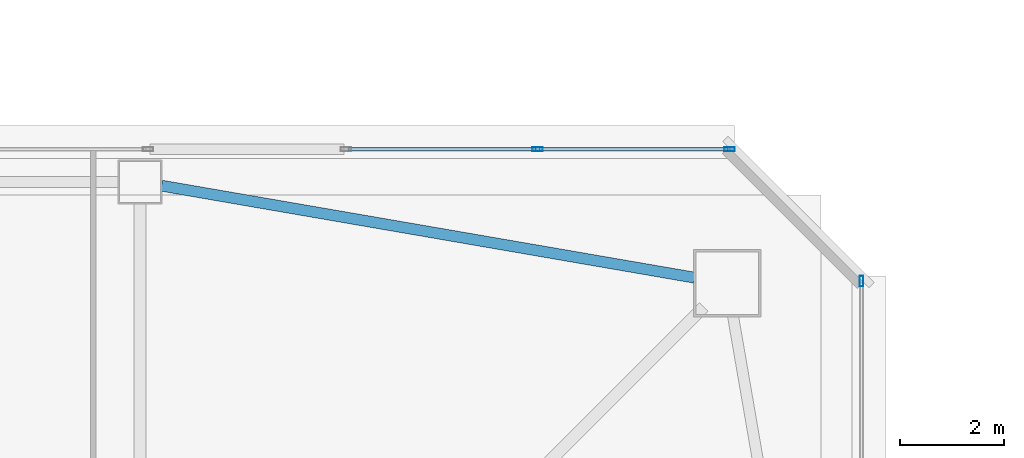
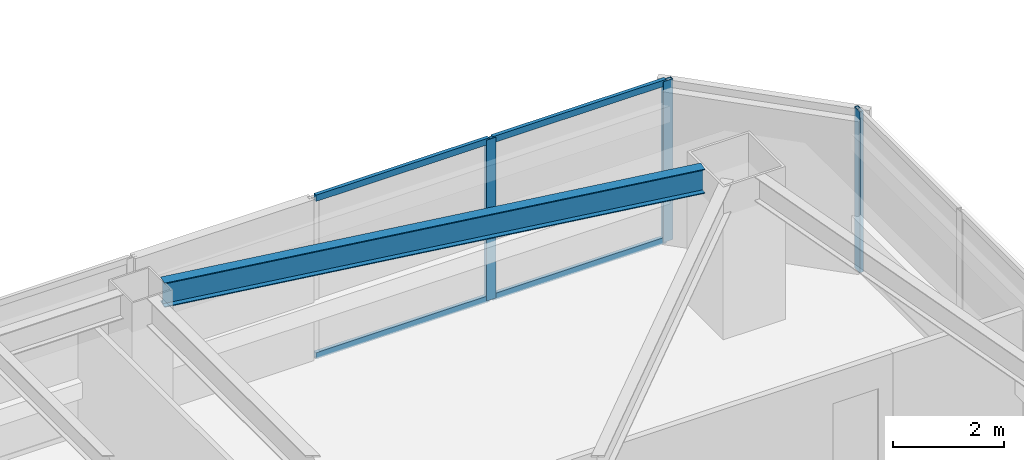
# One storey, part 15 of 46: 7 members, 1 beam, 2 elements without a shape of their own.
"""IFC4 building model written with IfcOpenShell, lengths in metres."""

from ifc_helpers import new_model, si_unit, direction, frame, origin, origin_2d, place, context, subcontext, project, spatial, hollow_rectangle, i_section, extrude, material, material_profile, profile_set, type_object, element, aggregate, save


model = new_model("IFC4")

# Units and contexts
model_context = context("Model", 3, precision=1e-05, world=origin(), true_north=direction((0.0, 1.0)))
body_context = subcontext(model_context, "Body", "Model", "MODEL_VIEW")
ifc_project = project(units=[si_unit("LENGTHUNIT", "METRE"), si_unit("AREAUNIT", "SQUARE_METRE"), si_unit("VOLUMEUNIT", "CUBIC_METRE"), si_unit("PLANEANGLEUNIT", "RADIAN"), si_unit("MASSUNIT", "GRAM", prefix="KILO")], contexts=[model_context])

# Site, building, storey
site_placement = place(None, origin())
site = spatial("IfcSite", under=ifc_project, at=site_placement, CompositionType="ELEMENT")
building_placement = place(site_placement, origin())
building = spatial("IfcBuilding", under=site, at=building_placement, Name="Tashvorn Skyway Center", CompositionType="ELEMENT")
storey_placement = place(building_placement, frame((0.0, 0.0, 132.14990234375)))
storey = spatial("IfcBuildingStorey", under=building, at=storey_placement, Name="L35", CompositionType="ELEMENT", Elevation=132.14990234375)

# Beam
ifc_material_1 = material(Name="Steel ASTM A992 Grade 50", Category="steel")
ifc_material_profile_1 = material_profile(ifc_material_1, i_section(OverallWidth=0.2109375, OverallDepth=0.5390625, WebThickness=0.01171875, FlangeThickness=0.018798828125, at=origin_2d()), Name="W21X73")
ifc_profile_set_1 = profile_set([ifc_material_profile_1], Name="Steel ASTM A992 Grade 50")
beam_type = type_object("IfcBeamType", Name="BM-SPANDREL-W21X73", PredefinedType="SPANDREL", material=ifc_profile_set_1)
beam_placement = place(storey_placement, frame((58.064453125, 48.8095703125, 3.1005859375), z_axis=(-0.985432458462, 0.170067250846, 0.0), x_axis=(-0.170067250846, -0.985432458462, 0.0)))
element("IfcBeam", 1, at=beam_placement, inside=storey, type_object=beam_type, Name="Tower 1 L35 Spandrel Beam 07", PredefinedType="SPANDREL", context=body_context, shape_type="SweptSolid", body=[
    extrude(i_section(OverallWidth=0.2109375, OverallDepth=0.5390625, WebThickness=0.01171875, FlangeThickness=0.018798828125, at=origin_2d()), origin(), (0.0, 0.0, 1.0), 10.402099609375),
])

# Curtain wall, members
ifc_material_2 = material(Name="Thermally broken bronze-anodized aluminium 6063-T6", Category="aluminium")
curtain_wall_type = type_object("IfcCurtainWallType", Name="CW-CW-Z3", PredefinedType="NOTDEFINED", material=ifc_material_2)
curtain_wall_1_placement = place(storey_placement, origin())
curtain_wall_1 = element("IfcCurtainWall", 2, at=curtain_wall_1_placement, inside=storey, type_object=curtain_wall_type, Name="Tower 1 L35 North Unitised Curtain Wall Glazing Group 3", PredefinedType="NOTDEFINED")
ifc_material_profile_2 = material_profile(ifc_material_2, hollow_rectangle(XDim=0.074951171875, YDim=0.199951171875, WallThickness=0.00439453125, at=origin_2d()), Name="ALU-MULL-75x200")
ifc_profile_set_2 = profile_set([ifc_material_profile_2], Name="Thermally broken bronze-anodized aluminium 6063-T6")
member_type_1 = type_object("IfcMemberType", Name="CWM-CW-Z3", PredefinedType="MULLION", material=ifc_profile_set_2)
member_1_placement = place(storey_placement, frame((55.051025390625, 51.280029296875, 0.0), z_axis=(0.0, 0.0, 1.0), x_axis=(0.0, 1.0, 0.0)))
member_1 = element("IfcMember", 3, at=member_1_placement, type_object=member_type_1, Name="CW-Z3 mullion 2", PredefinedType="MULLION", context=body_context, shape_type="SweptSolid", body=[
    extrude(hollow_rectangle(XDim=0.074951171875, YDim=0.199951171875, WallThickness=0.00439453125, at=origin_2d()), origin(), (0.0, 0.0, 1.0), 3.550048828125),
])
member_2_placement = place(storey_placement, frame((58.742431640625, 51.280029296875, 0.0), z_axis=(0.0, 0.0, 1.0), x_axis=(0.0, 1.0, 0.0)))
member_2 = element("IfcMember", 4, at=member_2_placement, type_object=member_type_1, Name="CW-Z3 mullion 3", PredefinedType="MULLION", context=body_context, shape_type="SweptSolid", body=[
    extrude(hollow_rectangle(XDim=0.074951171875, YDim=0.199951171875, WallThickness=0.00439453125, at=origin_2d()), origin(), (0.0, 0.0, 1.0), 3.550048828125),
])

# Curtain wall, member
curtain_wall_2_placement = place(storey_placement, origin())
curtain_wall_2 = element("IfcCurtainWall", 5, at=curtain_wall_2_placement, inside=storey, type_object=curtain_wall_type, Name="Tower 1 L35 East Unitised Curtain Wall Glazing Group 1", PredefinedType="NOTDEFINED")
member_3_placement = place(storey_placement, frame((61.280029296875, 48.742431640625, 0.0), z_axis=(0.0, 0.0, 1.0), x_axis=(1.0, 0.0, 0.0)))
member_3 = element("IfcMember", 6, at=member_3_placement, type_object=member_type_1, Name="CW-Z3 mullion 1", PredefinedType="MULLION", context=body_context, shape_type="SweptSolid", body=[
    extrude(hollow_rectangle(XDim=0.074951171875, YDim=0.199951171875, WallThickness=0.00439453125, at=origin_2d()), origin(), (0.0, 0.0, 1.0), 3.550048828125),
])
aggregate(curtain_wall_2, [member_3])

# Member
ifc_material_profile_3 = material_profile(ifc_material_2, hollow_rectangle(XDim=0.074951171875, YDim=0.139892578125, WallThickness=0.004150390625, at=origin_2d()), Name="ALU-TRAN-75x140")
ifc_profile_set_3 = profile_set([ifc_material_profile_3], Name="Thermally broken bronze-anodized aluminium 6063-T6")
member_type_2 = type_object("IfcMemberType", Name="CWT-CW-Z3", PredefinedType="USERDEFINED", material=ifc_profile_set_3)
member_4_placement = place(storey_placement, frame((51.397216796875, 51.280029296875, 0.03759765625), z_axis=(1.0, 0.0, 0.0), x_axis=(0.0, 1.0, 0.0)))
member_4 = element("IfcMember", 7, at=member_4_placement, type_object=member_type_2, Name="CW-Z3 transom 1.1", ObjectType="TRANSOM", PredefinedType="USERDEFINED", context=body_context, shape_type="SweptSolid", body=[
    extrude(hollow_rectangle(XDim=0.074951171875, YDim=0.139892578125, WallThickness=0.004150390625, at=origin_2d()), origin(), (0.0, 0.0, 1.0), 3.616455078125),
])

member_5_placement = place(storey_placement, frame((51.397216796875, 51.280029296875, 3.5126953125), z_axis=(1.0, 0.0, 0.0), x_axis=(0.0, 1.0, 0.0)))
member_5 = element("IfcMember", 8, at=member_5_placement, type_object=member_type_2, Name="CW-Z3 transom 1.2", ObjectType="TRANSOM", PredefinedType="USERDEFINED", context=body_context, shape_type="SweptSolid", body=[
    extrude(hollow_rectangle(XDim=0.074951171875, YDim=0.139892578125, WallThickness=0.004150390625, at=origin_2d()), origin(), (0.0, 0.0, 1.0), 3.616455078125),
])

member_6_placement = place(storey_placement, frame((55.088623046875, 51.280029296875, 0.03759765625), z_axis=(1.0, 0.0, 0.0), x_axis=(0.0, 1.0, 0.0)))
member_6 = element("IfcMember", 9, at=member_6_placement, type_object=member_type_2, Name="CW-Z3 transom 2.1", ObjectType="TRANSOM", PredefinedType="USERDEFINED", context=body_context, shape_type="SweptSolid", body=[
    extrude(hollow_rectangle(XDim=0.074951171875, YDim=0.139892578125, WallThickness=0.004150390625, at=origin_2d()), origin(), (0.0, 0.0, 1.0), 3.616455078125),
])

member_7_placement = place(storey_placement, frame((55.088623046875, 51.280029296875, 3.5126953125), z_axis=(1.0, 0.0, 0.0), x_axis=(0.0, 1.0, 0.0)))
member_7 = element("IfcMember", 10, at=member_7_placement, type_object=member_type_2, Name="CW-Z3 transom 2.2", ObjectType="TRANSOM", PredefinedType="USERDEFINED", context=body_context, shape_type="SweptSolid", body=[
    extrude(hollow_rectangle(XDim=0.074951171875, YDim=0.139892578125, WallThickness=0.004150390625, at=origin_2d()), origin(), (0.0, 0.0, 1.0), 3.616455078125),
])

aggregate(curtain_wall_1, [member_1, member_2, member_4, member_5, member_6, member_7])

save(model, "model.ifc")
